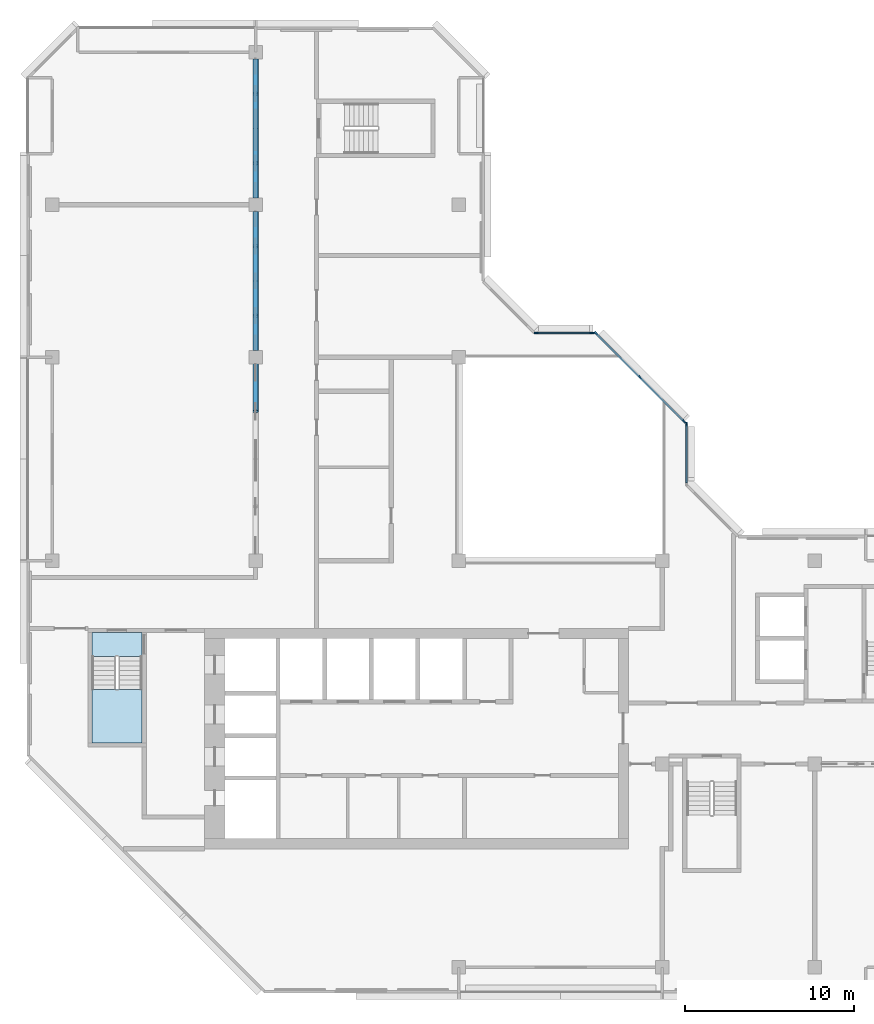
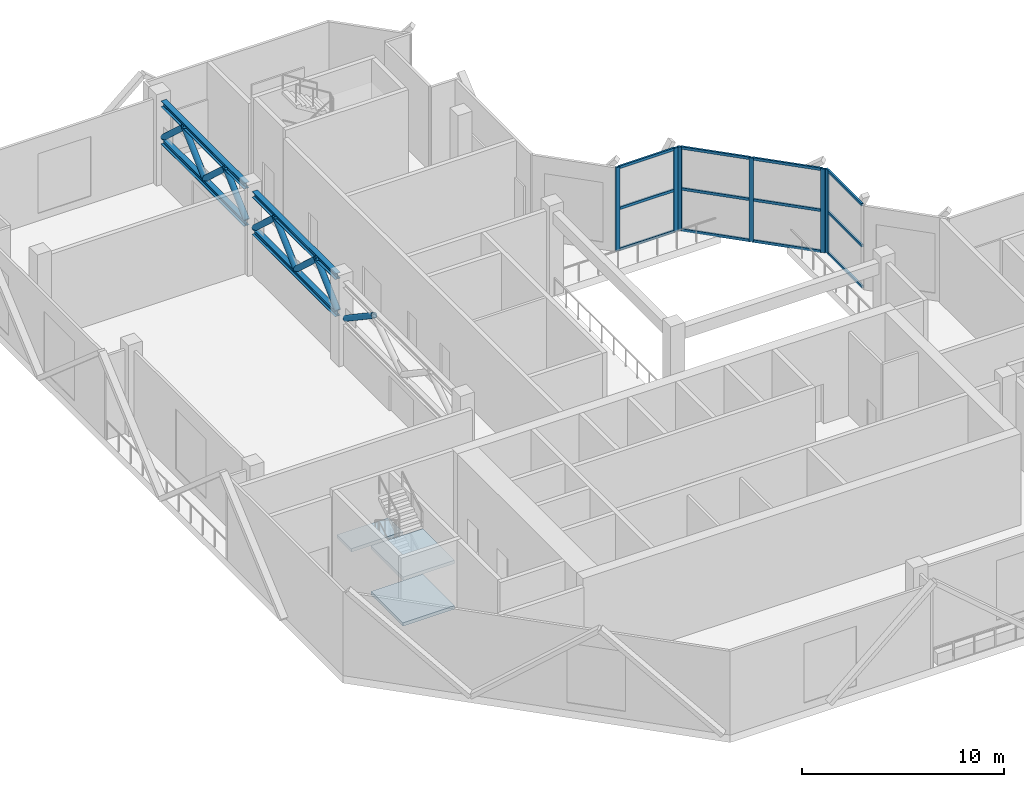
# One storey, part 3 of 13: 27 members, 4 beams, 3 slabs, 4 elements without a shape of their own.
"""IFC4 building model written with IfcOpenShell, lengths in metres."""

from ifc_helpers import new_model, si_unit, direction, frame, origin, origin_2d, place, context, subcontext, project, spatial, polyline, rectangle, hollow_circle, i_section, outline, extrude, material, layer, layer_set, material_profile, profile_set, type_object, element, aggregate, save


model = new_model("IFC4")

# Units and contexts
model_context = context("Model", 3, precision=1e-05, world=origin(), true_north=direction((0.0, 1.0)))
body_context = subcontext(model_context, "Body", "Model", "MODEL_VIEW")
ifc_project = project(units=[si_unit("LENGTHUNIT", "METRE"), si_unit("AREAUNIT", "SQUARE_METRE"), si_unit("VOLUMEUNIT", "CUBIC_METRE"), si_unit("PLANEANGLEUNIT", "RADIAN"), si_unit("MASSUNIT", "GRAM", prefix="KILO")], contexts=[model_context])

# Site, building, storey
site_placement = place(None, origin())
site = spatial("IfcSite", under=ifc_project, at=site_placement, CompositionType="ELEMENT")
building_placement = place(site_placement, origin())
building = spatial("IfcBuilding", under=site, at=building_placement, Name="Chenar Terraces", CompositionType="ELEMENT")
storey_placement = place(building_placement, frame((0.0, 0.0, 322.14990234375)))
storey = spatial("IfcBuildingStorey", under=building, at=storey_placement, Name="L76", CompositionType="ELEMENT", Elevation=322.14990234375)

# Curtain wall, member
ifc_material_1 = material(Name="Aluminium framed glazing", Category="aluminium")
ifc_layer_1 = layer(ifc_material_1, 0.14990234375)
ifc_layer_set_1 = layer_set([ifc_layer_1], Name="Aluminium framed glazing")
curtain_wall_type = type_object("IfcCurtainWallType", Name="Atrium upper-zone curtain wall", PredefinedType="NOTDEFINED", material=ifc_layer_set_1)
placement = place(storey_placement, origin())
curtain_wall_1 = element("IfcCurtainWall", 1, at=placement, inside=storey, type_object=curtain_wall_type, Name="Atrium upper-zone curtain wall", PredefinedType="NOTDEFINED")
ifc_material_2 = material(Name="Aluminium", Category="aluminium")
ifc_material_profile_1 = material_profile(ifc_material_2, rectangle(XDim=0.10009765625, YDim=0.239990234375, at=origin_2d()), Name="Atrium upper-zone glazing mullion 100 x 240")
ifc_profile_set_1 = profile_set([ifc_material_profile_1], Name="Aluminium")
member_type_1 = type_object("IfcMemberType", Name="Atrium upper-zone glazing mullion 100 x 240", PredefinedType="MULLION", material=ifc_profile_set_1)
member_1_placement = place(storey_placement, frame((37.425048828125, 32.050048828125, 0.0), z_axis=(0.0, 0.0, 1.0), x_axis=(-1.0, 0.0, 0.0)))
member_1 = element("IfcMember", 2, at=member_1_placement, type_object=member_type_1, Name="CW8-1 mullion 2", PredefinedType="MULLION", context=body_context, shape_type="SweptSolid", body=[
    extrude(rectangle(XDim=0.10009765625, YDim=0.239990234375, at=origin_2d()), origin(), (0.0, 0.0, 1.0), 5.050048828125),
])

# Curtain wall, members
curtain_wall_2 = element("IfcCurtainWall", 3, at=placement, inside=storey, type_object=curtain_wall_type, Name="Atrium upper-zone curtain wall", PredefinedType="NOTDEFINED")
member_2_placement = place(storey_placement, frame((37.270263671875, 32.2236328125, 0.0), z_axis=(0.0, 0.0, 1.0), x_axis=(-0.707106781187, -0.707106781187, 0.0)))
member_2 = element("IfcMember", 4, at=member_2_placement, type_object=member_type_1, Name="CW8-2 mullion 1", PredefinedType="MULLION", context=body_context, shape_type="SweptSolid", body=[
    extrude(rectangle(XDim=0.10009765625, YDim=0.239990234375, at=origin_2d()), origin(), (0.0, 0.0, 1.0), 5.050048828125),
])
member_3_placement = place(storey_placement, frame((34.67626953125, 34.817626953125, 0.0), z_axis=(0.0, 0.0, 1.0), x_axis=(-0.707106781187, -0.707106781187, 0.0)))
member_3 = element("IfcMember", 5, at=member_3_placement, type_object=member_type_1, Name="CW8-2 mullion 2", PredefinedType="MULLION", context=body_context, shape_type="SweptSolid", body=[
    extrude(rectangle(XDim=0.10009765625, YDim=0.239990234375, at=origin_2d()), origin(), (0.0, 0.0, 1.0), 5.050048828125),
])
member_4_placement = place(storey_placement, frame((32.082275390625, 37.41162109375, 0.0), z_axis=(0.0, 0.0, 1.0), x_axis=(-0.707106781187, -0.707106781187, 0.0)))
member_4 = element("IfcMember", 6, at=member_4_placement, type_object=member_type_1, Name="CW8-2 mullion 3", PredefinedType="MULLION", context=body_context, shape_type="SweptSolid", body=[
    extrude(rectangle(XDim=0.10009765625, YDim=0.239990234375, at=origin_2d()), origin(), (0.0, 0.0, 1.0), 5.050048828125),
])

curtain_wall_3 = element("IfcCurtainWall", 7, at=placement, inside=storey, type_object=curtain_wall_type, Name="Atrium upper-zone curtain wall", PredefinedType="NOTDEFINED")
member_5_placement = place(storey_placement, frame((31.85009765625, 37.425048828125, 0.0), z_axis=(0.0, 0.0, 1.0), x_axis=(0.0, -1.0, 0.0)))
member_5 = element("IfcMember", 8, at=member_5_placement, type_object=member_type_1, Name="CW8-3 mullion 1", PredefinedType="MULLION", context=body_context, shape_type="SweptSolid", body=[
    extrude(rectangle(XDim=0.10009765625, YDim=0.239990234375, at=origin_2d()), origin(), (0.0, 0.0, 1.0), 5.050048828125),
])
member_6_placement = place(storey_placement, frame((28.550048828125, 37.425048828125, 0.0), z_axis=(0.0, 0.0, 1.0), x_axis=(0.0, -1.0, 0.0)))
member_6 = element("IfcMember", 9, at=member_6_placement, type_object=member_type_1, Name="CW8-3 mullion 2", PredefinedType="MULLION", context=body_context, shape_type="SweptSolid", body=[
    extrude(rectangle(XDim=0.10009765625, YDim=0.239990234375, at=origin_2d()), origin(), (0.0, 0.0, 1.0), 5.050048828125),
])

# Member
ifc_material_3 = material(Name="Aluminium", Category="aluminium")
ifc_material_profile_2 = material_profile(ifc_material_3, rectangle(XDim=0.10009765625, YDim=0.159912109375, at=origin_2d()), Name="Atrium upper-zone glazing transom 100 x 160")
ifc_profile_set_2 = profile_set([ifc_material_profile_2], Name="Aluminium")
member_type_2 = type_object("IfcMemberType", Name="Atrium upper-zone glazing transom 100 x 160", PredefinedType="USERDEFINED", material=ifc_profile_set_2)
member_7_placement = place(storey_placement, frame((37.425048828125, 28.60009765625, 0.050048828125), z_axis=(0.0, 1.0, 0.0), x_axis=(-1.0, 0.0, 0.0)))
member_7 = element("IfcMember", 10, at=member_7_placement, type_object=member_type_2, Name="CW8-1 transom 1.1", ObjectType="TRANSOM", PredefinedType="USERDEFINED", context=body_context, shape_type="SweptSolid", body=[
    extrude(rectangle(XDim=0.10009765625, YDim=0.159912109375, at=origin_2d()), origin(), (0.0, 0.0, 1.0), 3.39990234375),
])

member_8_placement = place(storey_placement, frame((37.425048828125, 28.60009765625, 2.525146484375), z_axis=(0.0, 1.0, 0.0), x_axis=(-1.0, 0.0, 0.0)))
member_8 = element("IfcMember", 11, at=member_8_placement, type_object=member_type_2, Name="CW8-1 transom 1.2", ObjectType="TRANSOM", PredefinedType="USERDEFINED", context=body_context, shape_type="SweptSolid", body=[
    extrude(rectangle(XDim=0.10009765625, YDim=0.159912109375, at=origin_2d()), origin(), (0.0, 0.0, 1.0), 3.39990234375),
])

member_9_placement = place(storey_placement, frame((37.425048828125, 28.60009765625, 5.0), z_axis=(0.0, 1.0, 0.0), x_axis=(-1.0, 0.0, 0.0)))
member_9 = element("IfcMember", 12, at=member_9_placement, type_object=member_type_2, Name="CW8-1 transom 1.3", ObjectType="TRANSOM", PredefinedType="USERDEFINED", context=body_context, shape_type="SweptSolid", body=[
    extrude(rectangle(XDim=0.10009765625, YDim=0.159912109375, at=origin_2d()), origin(), (0.0, 0.0, 1.0), 3.39990234375),
])

aggregate(curtain_wall_1, [member_1, member_7, member_8, member_9])

member_10_placement = place(storey_placement, frame((37.23486328125, 32.259033203125, 0.050048828125), z_axis=(-0.707106781187, 0.707106781187, 0.0), x_axis=(-0.707106781187, -0.707106781187, 0.0)))
member_10 = element("IfcMember", 13, at=member_10_placement, type_object=member_type_2, Name="CW8-2 transom 1.1", ObjectType="TRANSOM", PredefinedType="USERDEFINED", context=body_context, shape_type="SweptSolid", body=[
    extrude(rectangle(XDim=0.10009765625, YDim=0.159912109375, at=origin_2d()), origin(), (0.0, 0.0, 1.0), 3.568359375),
])

member_11_placement = place(storey_placement, frame((37.23486328125, 32.259033203125, 2.525146484375), z_axis=(-0.707106781187, 0.707106781187, 0.0), x_axis=(-0.707106781187, -0.707106781187, 0.0)))
member_11 = element("IfcMember", 14, at=member_11_placement, type_object=member_type_2, Name="CW8-2 transom 1.2", ObjectType="TRANSOM", PredefinedType="USERDEFINED", context=body_context, shape_type="SweptSolid", body=[
    extrude(rectangle(XDim=0.10009765625, YDim=0.159912109375, at=origin_2d()), origin(), (0.0, 0.0, 1.0), 3.568359375),
])

member_12_placement = place(storey_placement, frame((37.23486328125, 32.259033203125, 5.0), z_axis=(-0.707106781187, 0.707106781187, 0.0), x_axis=(-0.707106781187, -0.707106781187, 0.0)))
member_12 = element("IfcMember", 15, at=member_12_placement, type_object=member_type_2, Name="CW8-2 transom 1.3", ObjectType="TRANSOM", PredefinedType="USERDEFINED", context=body_context, shape_type="SweptSolid", body=[
    extrude(rectangle(XDim=0.10009765625, YDim=0.159912109375, at=origin_2d()), origin(), (0.0, 0.0, 1.0), 3.568359375),
])

member_13_placement = place(storey_placement, frame((34.640869140625, 34.85302734375, 0.050048828125), z_axis=(-0.707106781187, 0.707106781187, 0.0), x_axis=(-0.707106781187, -0.707106781187, 0.0)))
member_13 = element("IfcMember", 16, at=member_13_placement, type_object=member_type_2, Name="CW8-2 transom 2.1", ObjectType="TRANSOM", PredefinedType="USERDEFINED", context=body_context, shape_type="SweptSolid", body=[
    extrude(rectangle(XDim=0.10009765625, YDim=0.159912109375, at=origin_2d()), origin(), (0.0, 0.0, 1.0), 3.568359375),
])

member_14_placement = place(storey_placement, frame((34.640869140625, 34.85302734375, 2.525146484375), z_axis=(-0.707106781187, 0.707106781187, 0.0), x_axis=(-0.707106781187, -0.707106781187, 0.0)))
member_14 = element("IfcMember", 17, at=member_14_placement, type_object=member_type_2, Name="CW8-2 transom 2.2", ObjectType="TRANSOM", PredefinedType="USERDEFINED", context=body_context, shape_type="SweptSolid", body=[
    extrude(rectangle(XDim=0.10009765625, YDim=0.159912109375, at=origin_2d()), origin(), (0.0, 0.0, 1.0), 3.568359375),
])

member_15_placement = place(storey_placement, frame((34.640869140625, 34.85302734375, 5.0), z_axis=(-0.707106781187, 0.707106781187, 0.0), x_axis=(-0.707106781187, -0.707106781187, 0.0)))
member_15 = element("IfcMember", 18, at=member_15_placement, type_object=member_type_2, Name="CW8-2 transom 2.3", ObjectType="TRANSOM", PredefinedType="USERDEFINED", context=body_context, shape_type="SweptSolid", body=[
    extrude(rectangle(XDim=0.10009765625, YDim=0.159912109375, at=origin_2d()), origin(), (0.0, 0.0, 1.0), 3.568359375),
])

aggregate(curtain_wall_2, [member_2, member_3, member_4, member_10, member_11, member_12, member_13, member_14, member_15])

member_16_placement = place(storey_placement, frame((31.800048828125, 37.425048828125, 0.050048828125), z_axis=(-1.0, 0.0, 0.0), x_axis=(0.0, -1.0, 0.0)))
member_16 = element("IfcMember", 19, at=member_16_placement, type_object=member_type_2, Name="CW8-3 transom 1.1", ObjectType="TRANSOM", PredefinedType="USERDEFINED", context=body_context, shape_type="SweptSolid", body=[
    extrude(rectangle(XDim=0.10009765625, YDim=0.159912109375, at=origin_2d()), origin(), (0.0, 0.0, 1.0), 3.199951171875),
])

member_17_placement = place(storey_placement, frame((31.800048828125, 37.425048828125, 2.525146484375), z_axis=(-1.0, 0.0, 0.0), x_axis=(0.0, -1.0, 0.0)))
member_17 = element("IfcMember", 20, at=member_17_placement, type_object=member_type_2, Name="CW8-3 transom 1.2", ObjectType="TRANSOM", PredefinedType="USERDEFINED", context=body_context, shape_type="SweptSolid", body=[
    extrude(rectangle(XDim=0.10009765625, YDim=0.159912109375, at=origin_2d()), origin(), (0.0, 0.0, 1.0), 3.199951171875),
])

member_18_placement = place(storey_placement, frame((31.800048828125, 37.425048828125, 5.0), z_axis=(-1.0, 0.0, 0.0), x_axis=(0.0, -1.0, 0.0)))
member_18 = element("IfcMember", 21, at=member_18_placement, type_object=member_type_2, Name="CW8-3 transom 1.3", ObjectType="TRANSOM", PredefinedType="USERDEFINED", context=body_context, shape_type="SweptSolid", body=[
    extrude(rectangle(XDim=0.10009765625, YDim=0.159912109375, at=origin_2d()), origin(), (0.0, 0.0, 1.0), 3.199951171875),
])

aggregate(curtain_wall_3, [member_5, member_6, member_16, member_17, member_18])

# Beams
ifc_material_4 = material(Name="Structural steel S355", Category="steel")
ifc_material_profile_3 = material_profile(ifc_material_4, i_section(OverallWidth=0.300048828125, OverallDepth=0.360107421875, WebThickness=0.012451171875, FlangeThickness=0.0224609375, FilletRadius=0.027099609375, at=origin_2d()), Name="HEB 360")
ifc_profile_set_3 = profile_set([ifc_material_profile_3], Name="Structural steel S355")
beam_type = type_object("IfcBeamType", Name="Belt truss chord HEB 360 S355", PredefinedType="BEAM", material=ifc_profile_set_3)
for number, where, z_axis, x_axis, name in (
    (22, (12.0, 36.39990234375, 4.8701171875), (0.0, 1.0, 0.0), (-1.0, 0.0, 0.0), "Belt truss L76 B2 top chord"),
    (23, (12.0, 36.39990234375, 2.630126953125), (0.0, 1.0, 0.0), (-1.0, 0.0, 0.0), "Belt truss L76 B2 bottom chord"),
    (24, (12.0, 45.39990234375, 4.8701171875), (0.0, 1.0, 0.0), (-1.0, 0.0, 0.0), "Belt truss L76 B3 top chord"),
    (25, (12.0, 45.39990234375, 2.630126953125), (0.0, 1.0, 0.0), (-1.0, 0.0, 0.0), "Belt truss L76 B3 bottom chord"),
):
    element("IfcBeam", number, at=place(storey_placement, frame(where, z_axis=z_axis, x_axis=x_axis)), inside=storey, type_object=beam_type, Name=name, PredefinedType="BEAM", context=body_context, shape_type="SweptSolid", body=[
        extrude(i_section(OverallWidth=0.300048828125, OverallDepth=0.360107421875, WebThickness=0.012451171875, FlangeThickness=0.0224609375, FilletRadius=0.027099609375, at=origin_2d()), origin(), (0.0, 0.0, 1.0), 8.2001953125),
    ])

# Members
ifc_material_5 = material(Name="Structural steel S355", Category="steel")
ifc_material_profile_4 = material_profile(ifc_material_5, hollow_circle(Radius=0.161865234375, WallThickness=0.012451171875, at=origin_2d()), Name="CHS 323.9x12.5")
ifc_profile_set_4 = profile_set([ifc_material_profile_4], Name="Structural steel S355")
member_type_3 = type_object("IfcMemberType", Name="Belt truss diagonal CHS 323.9x12.5 S355", PredefinedType="BRACE", material=ifc_profile_set_4)
member_19_placement = place(storey_placement, frame((12.0, 32.800048828125, 4.690185546875), z_axis=(0.0, 0.830208209119, -0.557453432594), x_axis=(-1.0, 0.0, 0.0)))
element("IfcMember", 26, at=member_19_placement, inside=storey, type_object=member_type_3, Name="Belt truss L76 B1 diagonal 4", PredefinedType="BRACE", context=body_context, shape_type="SweptSolid", body=[
    extrude(hollow_circle(Radius=0.161865234375, WallThickness=0.012451171875, at=origin_2d()), origin(), (0.0, 0.0, 1.0), 3.372802734375),
])
for number, where, z_axis, x_axis, name in (
    (27, (12.0, 36.39990234375, 2.81005859375), (0.0, 0.736990173998, 0.675903457182), (-1.0, 0.0, 0.0), "Belt truss L76 B2 diagonal 1"),
    (28, (12.0, 38.449951171875, 4.690185546875), (0.0, 0.736990173998, -0.675903457182), (-1.0, 0.0, 0.0), "Belt truss L76 B2 diagonal 2"),
    (29, (12.0, 40.5, 2.81005859375), (0.0, 0.736990173998, 0.675903457182), (-1.0, 0.0, 0.0), "Belt truss L76 B2 diagonal 3"),
    (30, (12.0, 42.550048828125, 4.690185546875), (0.0, 0.736990173998, -0.675903457182), (-1.0, 0.0, 0.0), "Belt truss L76 B2 diagonal 4"),
    (31, (12.0, 45.39990234375, 2.81005859375), (0.0, 0.736990173998, 0.675903457182), (-1.0, 0.0, 0.0), "Belt truss L76 B3 diagonal 1"),
    (32, (12.0, 47.449951171875, 4.690185546875), (0.0, 0.736990173998, -0.675903457182), (-1.0, 0.0, 0.0), "Belt truss L76 B3 diagonal 2"),
    (33, (12.0, 49.5, 2.81005859375), (0.0, 0.736990173998, 0.675903457182), (-1.0, 0.0, 0.0), "Belt truss L76 B3 diagonal 3"),
    (34, (12.0, 51.550048828125, 4.690185546875), (0.0, 0.736990173998, -0.675903457182), (-1.0, 0.0, 0.0), "Belt truss L76 B3 diagonal 4"),
):
    element("IfcMember", number, at=place(storey_placement, frame(where, z_axis=z_axis, x_axis=x_axis)), inside=storey, type_object=member_type_3, Name=name, PredefinedType="BRACE", context=body_context, shape_type="SweptSolid", body=[
        extrude(hollow_circle(Radius=0.161865234375, WallThickness=0.012451171875, at=origin_2d()), origin(), (0.0, 0.0, 1.0), 2.78173828125),
    ])

# Stair, slabs
ifc_material_6 = material(Name="Reinforced concrete C40/50", Category="concrete")
stair_type = type_object("IfcStairType", Name="Core stair 1400 half-turn", PredefinedType="HALF_TURN_STAIR", material=ifc_material_6)
stair = element("IfcStair", 35, at=placement, inside=storey, type_object=stair_type, Name="L76 Stair 1", PredefinedType="HALF_TURN_STAIR")
ifc_material_7 = material(Name="Reinforced concrete C40/50", Category="concrete")
ifc_layer_2 = layer(ifc_material_7, 0.199951171875)
ifc_layer_set_2 = layer_set([ifc_layer_2], Name="Reinforced concrete C40/50")
slab_type = type_object("IfcSlabType", Name="Core stair landing 200", PredefinedType="LANDING", material=ifc_layer_set_2)
slab_1_placement = place(storey_placement, frame((0.0, 0.0, 1.175048828125)))
slab_1 = element("IfcSlab", 36, at=slab_1_placement, type_object=slab_type, Name="ST1 landing 1", PredefinedType="LANDING", context=body_context, shape_type="SweptSolid", body=[
    extrude(outline(polyline([(2.35009765625, 16.389892578125), (2.35009765625, 13.25), (5.300048828125, 13.25), (5.300048828125, 16.389892578125), (2.35009765625, 16.389892578125)])), origin(), (0.0, 0.0, 1.0), 0.199951171875),
])
slab_2_placement = place(storey_placement, frame((0.0, 0.0, 2.550048828125)))
slab_2 = element("IfcSlab", 37, at=slab_2_placement, type_object=slab_type, Name="ST1 landing 2", PredefinedType="LANDING", context=body_context, shape_type="SweptSolid", body=[
    extrude(outline(polyline([(2.35009765625, 19.75), (2.35009765625, 18.35009765625), (5.300048828125, 18.35009765625), (5.300048828125, 19.75), (2.35009765625, 19.75)])), origin(), (0.0, 0.0, 1.0), 0.199951171875),
])
slab_3_placement = place(storey_placement, frame((0.0, 0.0, 3.925048828125)))
slab_3 = element("IfcSlab", 38, at=slab_3_placement, type_object=slab_type, Name="ST1 landing 3", PredefinedType="LANDING", context=body_context, shape_type="SweptSolid", body=[
    extrude(outline(polyline([(2.35009765625, 16.389892578125), (2.35009765625, 13.25), (5.300048828125, 13.25), (5.300048828125, 16.389892578125), (2.35009765625, 16.389892578125)])), origin(), (0.0, 0.0, 1.0), 0.199951171875),
])
aggregate(stair, [slab_1, slab_2, slab_3])

save(model, "model.ifc")
